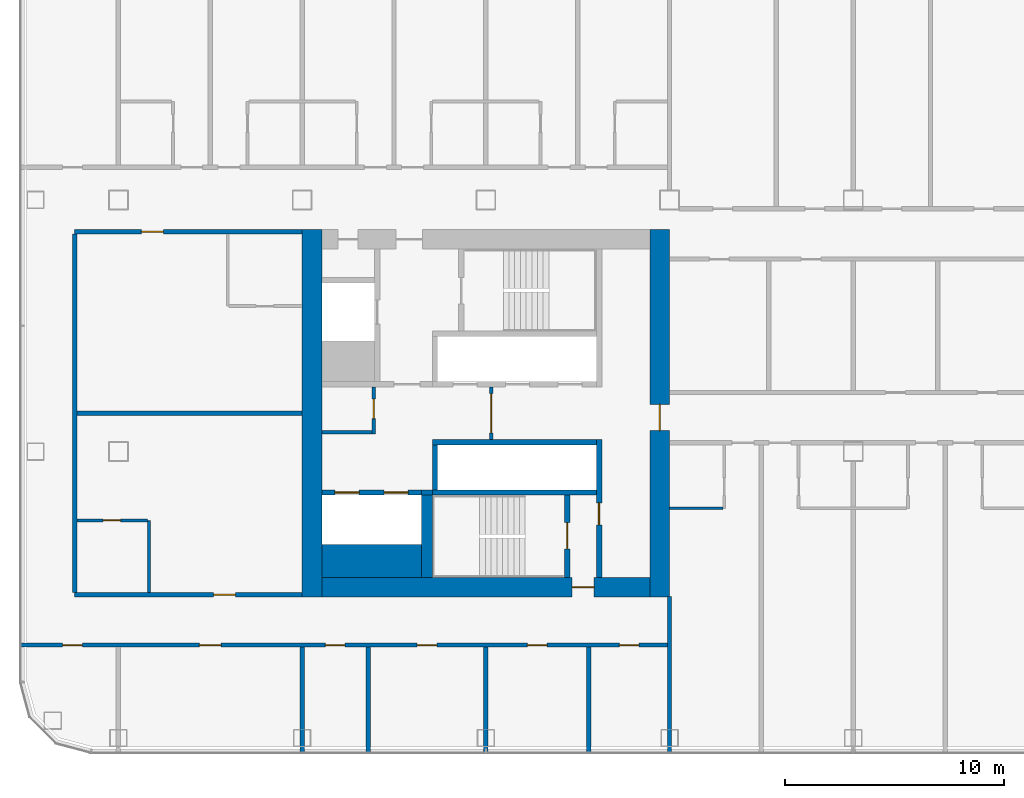
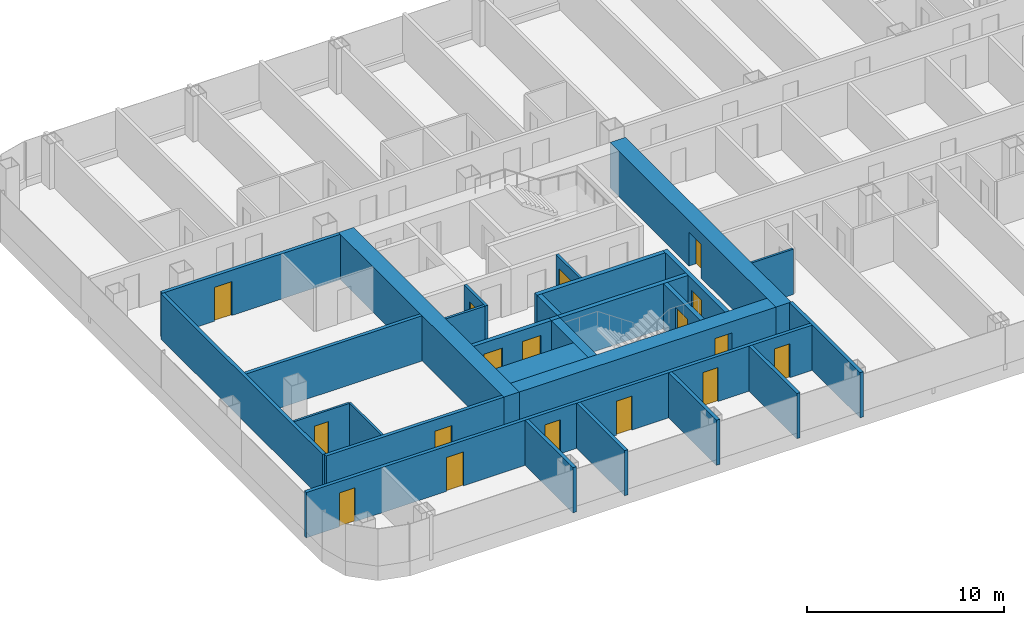
# One storey, part 15 of 29: 28 walls, 17 doors, 17 openings.
"""IFC4 building model written with IfcOpenShell, lengths in metres."""

from ifc_helpers import new_model, si_unit, direction, frame, frame_2d, origin, place, context, subcontext, project, spatial, rectangle, extrude, material, layer, layer_set, type_object, element, fill, save


model = new_model("IFC4")

# Units and contexts
model_context = context("Model", 3, precision=1e-05, world=origin(), true_north=direction((0.0, 1.0)))
body_context = subcontext(model_context, "Body", "Model", "MODEL_VIEW")
ifc_project = project(units=[si_unit("LENGTHUNIT", "METRE"), si_unit("AREAUNIT", "SQUARE_METRE"), si_unit("VOLUMEUNIT", "CUBIC_METRE"), si_unit("PLANEANGLEUNIT", "RADIAN"), si_unit("MASSUNIT", "GRAM", prefix="KILO")], contexts=[model_context])

# Site, building, storey
site_placement = place(None, origin())
site = spatial("IfcSite", under=ifc_project, at=site_placement, CompositionType="ELEMENT")
building_placement = place(site_placement, origin())
building = spatial("IfcBuilding", under=site, at=building_placement, Name="Hakoniwa Tower and Hamabe Station Hall", CompositionType="ELEMENT")
storey_placement = place(building_placement, frame((0.0, 0.0, 110.60009765625)))
storey = spatial("IfcBuildingStorey", under=building, at=storey_placement, Name="L31", CompositionType="ELEMENT", Elevation=110.60009765625)

# Wall, opening, door
ifc_material_1 = material(Name="Gypsum board partition", Category="gypsum")
ifc_layer_1 = layer(ifc_material_1, 0.125)
ifc_layer_set_1 = layer_set([ifc_layer_1], Name="Bathroom Partition 125")
wall_type_1 = type_object("IfcWallType", Name="Bathroom Partition 125", PredefinedType="PARTITIONING", material=ifc_layer_set_1)
wall_1_placement = place(storey_placement, frame((-43.89990234375, -4.89990234375, 0.0), z_axis=(0.0, 0.0, 1.0), x_axis=(1.0, 0.0, 0.0)))
wall_1 = element("IfcWall", 1, at=wall_1_placement, inside=storey, type_object=wall_type_1, Name="GW-L31-005", PredefinedType="PARTITIONING", context=body_context, shape_type="SweptSolid", body=[
    extrude(rectangle(XDim=3.2373046875, YDim=0.125, at=frame_2d((1.61865234375, 0.0))), origin(), (0.0, 0.0, 1.0), 2.7998046875),
])
opening_1_placement = place(wall_1_placement, frame((1.199951171875, 0.0, 0.0)))
opening_1 = element("IfcOpeningElement", 2, at=opening_1_placement, cuts=wall_1, Name="Opening GD-G2B2-16", PredefinedType="OPENING", context=body_context, shape_type="SweptSolid", body=[
    extrude(rectangle(XDim=0.800048828125, YDim=2.10009765625, at=frame_2d((0.39990234375, 1.050048828125))), frame((0.0, 0.072509765625, 0.0), z_axis=(0.0, -1.0, 0.0), x_axis=(1.0, 0.0, 0.0)), (0.0, 0.0, 1.0), 0.14501953125),
])
ifc_material_2 = material(Name="Timber door leaf", Category="wood")
door_type_1 = type_object("IfcDoorType", Name="Bathroom Door 800", OperationType="SINGLE_SWING_LEFT", PredefinedType="DOOR", material=ifc_material_2)
door_1_placement = place(opening_1_placement, origin())
door_1 = element("IfcDoor", 3, at=door_1_placement, inside=storey, type_object=door_type_1, Name="Door GD-G2B2-16", OperationType="SINGLE_SWING_RIGHT", OverallHeight=2.10009765625, OverallWidth=0.800048828125, PredefinedType="DOOR", context=body_context, shape_type="SweptSolid", body=[
    extrude(rectangle(XDim=0.800048828125, YDim=2.10009765625, at=frame_2d((0.39990234375, 1.050048828125))), frame((0.0, 0.02490234375, 0.0), z_axis=(0.0, -1.0, 0.0), x_axis=(1.0, 0.0, 0.0)), (0.0, 0.0, 1.0), 0.050048828125),
])
fill(opening_1, door_1)

# Walls
wall_2_placement = place(storey_placement, frame((-16.81005859375, -4.35009765625, 0.0), z_axis=(0.0, 0.0, 1.0), x_axis=(1.0, 0.0, 0.0)))
element("IfcWall", 4, at=wall_2_placement, inside=storey, type_object=wall_type_1, Name="GW-L31-007", PredefinedType="PARTITIONING", context=body_context, shape_type="SweptSolid", body=[
    extrude(rectangle(XDim=2.447509765625, YDim=0.125, at=frame_2d((1.2236328125, 0.0))), origin(), (0.0, 0.0, 1.0), 2.7998046875),
])
wall_3_placement = place(storey_placement, frame((-40.60009765625, -8.199951171875, 0.0), z_axis=(0.0, 0.0, 1.0), x_axis=(0.0, 1.0, 0.0)))
element("IfcWall", 5, at=wall_3_placement, inside=storey, type_object=wall_type_1, Name="GW-L31-034", PredefinedType="PARTITIONING", context=body_context, shape_type="SweptSolid", body=[
    extrude(rectangle(XDim=3.300048828125, YDim=0.125, at=frame_2d((1.64990234375, 0.0))), origin(), (0.0, 0.0, 1.0), 2.7998046875),
])

# Wall, opening, door
ifc_material_3 = material(Name="Gypsum board partition")
ifc_layer_2 = layer(ifc_material_3, 0.14990234375)
ifc_layer_set_2 = layer_set([ifc_layer_2], Name="CORE PARTITION 150 EI 60")
wall_type_2 = type_object("IfcWallType", Name="CORE PARTITION 150 EI 60", PredefinedType="PARTITIONING", material=ifc_layer_set_2)
wall_4_placement = place(storey_placement, frame((-24.949951171875, -1.199951171875, 0.0), z_axis=(0.0, 0.0, 1.0), x_axis=(0.0, 1.0, 0.0)))
wall_4 = element("IfcWall", 6, at=wall_4_placement, inside=storey, type_object=wall_type_2, Name="Core partition PL0 west", PredefinedType="PARTITIONING", context=body_context, shape_type="SweptSolid", body=[
    extrude(rectangle(XDim=2.39990234375, YDim=0.14990234375, at=frame_2d((1.199951171875, 0.0))), origin(), (0.0, 0.0, 1.0), 2.7998046875),
])
opening_2_placement = place(wall_4_placement, frame((0.300048828125, 0.0, 0.0)))
opening_2 = element("IfcOpeningElement", 7, at=opening_2_placement, cuts=wall_4, Name="Opening CD-W-LP0-18", PredefinedType="OPENING", context=body_context, shape_type="SweptSolid", body=[
    extrude(rectangle(XDim=1.800048828125, YDim=2.10009765625, at=frame_2d((0.89990234375, 1.050048828125))), frame((0.0, 0.0849609375, 0.0), z_axis=(0.0, -1.0, 0.0), x_axis=(1.0, 0.0, 0.0)), (0.0, 0.0, 1.0), 0.169921875),
])
ifc_material_4 = material(Name="Steel fire door", Category="steel")
door_type_2 = type_object("IfcDoorType", Name="CORE DOOR 1800 FD60", OperationType="DOUBLE_DOOR_SINGLE_SWING", PredefinedType="DOOR", material=ifc_material_4)
door_2_placement = place(opening_2_placement, origin())
door_2 = element("IfcDoor", 8, at=door_2_placement, inside=storey, type_object=door_type_2, Name="Lift lobby partition door", OperationType="DOUBLE_DOOR_SINGLE_SWING", OverallHeight=2.10009765625, OverallWidth=1.800048828125, PredefinedType="DOOR", context=body_context, shape_type="SweptSolid", body=[
    extrude(rectangle(XDim=1.800048828125, YDim=2.10009765625, at=frame_2d((0.89990234375, 1.050048828125))), frame((0.0, 0.02490234375, 0.0), z_axis=(0.0, -1.0, 0.0), x_axis=(1.0, 0.0, 0.0)), (0.0, 0.0, 1.0), 0.050048828125),
])
fill(opening_2, door_2)

wall_5_placement = place(storey_placement, frame((-30.324951171875, -0.949951171875, 0.0), z_axis=(0.0, 0.0, 1.0), x_axis=(0.0, 1.0, 0.0)))
wall_5 = element("IfcWall", 9, at=wall_5_placement, inside=storey, type_object=wall_type_2, Name="Core partition PW0 west", PredefinedType="PARTITIONING", context=body_context, shape_type="SweptSolid", body=[
    extrude(rectangle(XDim=2.14990234375, YDim=0.14990234375, at=frame_2d((1.074951171875, 0.0))), origin(), (0.0, 0.0, 1.0), 2.7998046875),
])
opening_3_placement = place(wall_5_placement, frame((0.699951171875, 0.0, 0.0)))
opening_3 = element("IfcOpeningElement", 10, at=opening_3_placement, cuts=wall_5, Name="Opening CD-W-RM1-9", PredefinedType="OPENING", context=body_context, shape_type="SweptSolid", body=[
    extrude(rectangle(XDim=0.89990234375, YDim=2.10009765625, at=frame_2d((0.449951171875, 1.050048828125))), frame((0.0, 0.0849609375, 0.0), z_axis=(0.0, -1.0, 0.0), x_axis=(1.0, 0.0, 0.0)), (0.0, 0.0, 1.0), 0.169921875),
])
ifc_material_5 = material(Name="Steel fire door", Category="steel")
door_type_3 = type_object("IfcDoorType", Name="CORE DOOR 900 FD30", OperationType="NOTDEFINED", PredefinedType="DOOR", material=ifc_material_5)
door_3_placement = place(opening_3_placement, origin())
door_3 = element("IfcDoor", 11, at=door_3_placement, inside=storey, type_object=door_type_3, Name="Store room door", OperationType="SINGLE_SWING_LEFT", OverallHeight=2.10009765625, OverallWidth=0.89990234375, PredefinedType="DOOR", context=body_context, shape_type="SweptSolid", body=[
    extrude(rectangle(XDim=0.89990234375, YDim=2.10009765625, at=frame_2d((0.449951171875, 1.050048828125))), frame((0.0, 0.02490234375, 0.0), z_axis=(0.0, -1.0, 0.0), x_axis=(1.0, 0.0, 0.0)), (0.0, 0.0, 1.0), 0.050048828125),
])
fill(opening_3, door_3)

# Wall
wall_6_placement = place(storey_placement, frame((-32.699951171875, -0.875, 0.0), z_axis=(0.0, 0.0, 1.0), x_axis=(1.0, 0.0, 0.0)))
element("IfcWall", 12, at=wall_6_placement, inside=storey, type_object=wall_type_2, Name="Core partition PS west", PredefinedType="PARTITIONING", context=body_context, shape_type="SweptSolid", body=[
    extrude(rectangle(XDim=2.300048828125, YDim=0.14990234375, at=frame_2d((1.14990234375, 0.0))), origin(), (0.0, 0.0, 1.0), 2.7998046875),
])

# Wall, opening, door
ifc_material_6 = material(Name="Concrete C72", Category="concrete")
ifc_layer_3 = layer(ifc_material_6, 0.89990234375)
ifc_layer_set_3 = layer_set([ifc_layer_3], Name="CORE WALL 900 C72")
wall_type_3 = type_object("IfcWallType", Name="CORE WALL 900 C72", PredefinedType="SHEAR", material=ifc_layer_set_3)
wall_7_placement = place(storey_placement, frame((-17.25, -8.39990234375, 0.0), z_axis=(0.0, 0.0, 1.0), x_axis=(0.0, 1.0, 0.0)))
wall_7 = element("IfcWall", 13, at=wall_7_placement, inside=storey, type_object=wall_type_3, Name="Core wall INNER west", PredefinedType="SHEAR", context=body_context, shape_type="SweptSolid", body=[
    extrude(rectangle(XDim=16.7998046875, YDim=0.89990234375, at=frame_2d((8.39990234375, 0.0))), origin(), (0.0, 0.0, 1.0), 2.7998046875),
])
opening_4_placement = place(wall_7_placement, frame((7.60009765625, 0.0, 0.0)))
opening_4 = element("IfcOpeningElement", 14, at=opening_4_placement, cuts=wall_7, Name="Opening CD-W-IN1-12", PredefinedType="OPENING", context=body_context, shape_type="SweptSolid", body=[
    extrude(rectangle(XDim=1.199951171875, YDim=2.10009765625, at=frame_2d((0.60009765625, 1.050048828125))), frame((0.0, 0.4599609375, 0.0), z_axis=(0.0, -1.0, 0.0), x_axis=(1.0, 0.0, 0.0)), (0.0, 0.0, 1.0), 0.919921875),
])
ifc_material_7 = material(Name="Steel fire door", Category="steel")
door_type_4 = type_object("IfcDoorType", Name="CORE DOOR 1200 FD60", OperationType="DOUBLE_DOOR_SINGLE_SWING", PredefinedType="DOOR", material=ifc_material_7)
door_4_placement = place(opening_4_placement, origin())
door_4 = element("IfcDoor", 15, at=door_4_placement, inside=storey, type_object=door_type_4, Name="Lift lobby door", OperationType="DOUBLE_DOOR_SINGLE_SWING", OverallHeight=2.10009765625, OverallWidth=1.199951171875, PredefinedType="DOOR", context=body_context, shape_type="SweptSolid", body=[
    extrude(rectangle(XDim=1.199951171875, YDim=2.10009765625, at=frame_2d((0.60009765625, 1.050048828125))), frame((0.0, 0.02490234375, 0.0), z_axis=(0.0, -1.0, 0.0), x_axis=(1.0, 0.0, 0.0)), (0.0, 0.0, 1.0), 0.050048828125),
])
fill(opening_4, door_4)

# Wall
wall_8_placement = place(storey_placement, frame((-33.14990234375, -8.39990234375, 0.0), z_axis=(0.0, 0.0, 1.0), x_axis=(0.0, 1.0, 0.0)))
element("IfcWall", 16, at=wall_8_placement, inside=storey, type_object=wall_type_3, Name="Core wall OUTER west", PredefinedType="SHEAR", context=body_context, shape_type="SweptSolid", body=[
    extrude(rectangle(XDim=16.7998046875, YDim=0.89990234375, at=frame_2d((8.39990234375, 0.0))), origin(), (0.0, 0.0, 1.0), 2.7998046875),
])

# Wall, opening, door
wall_9_placement = place(storey_placement, frame((-32.699951171875, -7.949951171875, 0.0), z_axis=(0.0, 0.0, 1.0), x_axis=(1.0, 0.0, 0.0)))
wall_9 = element("IfcWall", 17, at=wall_9_placement, inside=storey, type_object=wall_type_3, Name="Core wall SOUTH west", PredefinedType="SHEAR", context=body_context, shape_type="SweptSolid", body=[
    extrude(rectangle(XDim=15.0, YDim=0.89990234375, at=frame_2d((7.5, 0.0))), origin(), (0.0, 0.0, 1.0), 2.7998046875),
])
opening_5_placement = place(wall_9_placement, frame((11.449951171875, 0.0, 0.0)))
opening_5 = element("IfcOpeningElement", 18, at=opening_5_placement, cuts=wall_9, Name="Opening CD-W-FS3-10", PredefinedType="OPENING", context=body_context, shape_type="SweptSolid", body=[
    extrude(rectangle(XDim=1.0, YDim=2.10009765625, at=frame_2d((0.5, 1.050048828125))), frame((0.0, 0.4599609375, 0.0), z_axis=(0.0, -1.0, 0.0), x_axis=(1.0, 0.0, 0.0)), (0.0, 0.0, 1.0), 0.919921875),
])
ifc_material_8 = material(Name="Steel fire door", Category="steel")
door_type_5 = type_object("IfcDoorType", Name="CORE DOOR 1000 FD60", OperationType="NOTDEFINED", PredefinedType="DOOR", material=ifc_material_8)
door_5_placement = place(opening_5_placement, origin())
door_5 = element("IfcDoor", 19, at=door_5_placement, inside=storey, type_object=door_type_5, Name="Stair vestibule door", OperationType="SINGLE_SWING_LEFT", OverallHeight=2.10009765625, OverallWidth=1.0, PredefinedType="DOOR", context=body_context, shape_type="SweptSolid", body=[
    extrude(rectangle(XDim=1.0, YDim=2.10009765625, at=frame_2d((0.5, 1.050048828125))), frame((0.0, 0.02490234375, 0.0), z_axis=(0.0, -1.0, 0.0), x_axis=(1.0, 0.0, 0.0)), (0.0, 0.0, 1.0), 0.050048828125),
])
fill(opening_5, door_5)

# Wall
ifc_material_9 = material(Name="Concrete C72", Category="concrete")
ifc_layer_4 = layer(ifc_material_9, 1.5)
ifc_layer_set_4 = layer_set([ifc_layer_4], Name="CORE WEB WALL 1500 C72")
wall_type_4 = type_object("IfcWallType", Name="CORE WEB WALL 1500 C72", PredefinedType="SHEAR", material=ifc_layer_set_4)
wall_10_placement = place(storey_placement, frame((-32.699951171875, -6.75, 0.0), z_axis=(0.0, 0.0, 1.0), x_axis=(1.0, 0.0, 0.0)))
element("IfcWall", 20, at=wall_10_placement, inside=storey, type_object=wall_type_4, Name="Core wall SER west", PredefinedType="SHEAR", context=body_context, shape_type="SweptSolid", body=[
    extrude(rectangle(XDim=4.550048828125, YDim=1.5, at=frame_2d((2.27490234375, 0.0))), origin(), (0.0, 0.0, 1.0), 2.7998046875),
])

# Wall, opening, door
ifc_material_10 = material(Name="Concrete C72", Category="concrete")
ifc_layer_5 = layer(ifc_material_10, 0.25)
ifc_layer_set_5 = layer_set([ifc_layer_5], Name="CORE WEB WALL 250 C72")
wall_type_5 = type_object("IfcWallType", Name="CORE WEB WALL 250 C72", PredefinedType="SHEAR", material=ifc_layer_set_5)
wall_11_placement = place(storey_placement, frame((-20.02490234375, -7.5, 0.0), z_axis=(0.0, 0.0, 1.0), x_axis=(0.0, 1.0, 0.0)))
wall_11 = element("IfcWall", 21, at=wall_11_placement, inside=storey, type_object=wall_type_5, Name="Core wall W1S west", PredefinedType="SHEAR", context=body_context, shape_type="SweptSolid", body=[
    extrude(rectangle(XDim=6.300048828125, YDim=0.25, at=frame_2d((3.14990234375, 0.0))), origin(), (0.0, 0.0, 1.0), 2.7998046875),
])
opening_6_placement = place(wall_11_placement, frame((2.39990234375, 0.0, 0.0)))
opening_6 = element("IfcOpeningElement", 22, at=opening_6_placement, cuts=wall_11, Name="Opening CD-W-VS-10", PredefinedType="OPENING", context=body_context, shape_type="SweptSolid", body=[
    extrude(rectangle(XDim=1.0, YDim=2.10009765625, at=frame_2d((0.5, 1.050048828125))), frame((0.0, 0.135009765625, 0.0), z_axis=(0.0, -1.0, 0.0), x_axis=(1.0, 0.0, 0.0)), (0.0, 0.0, 1.0), 0.27001953125),
])
door_6_placement = place(opening_6_placement, origin())
door_6 = element("IfcDoor", 23, at=door_6_placement, inside=storey, type_object=door_type_5, Name="Stair vestibule door", OperationType="SINGLE_SWING_LEFT", OverallHeight=2.10009765625, OverallWidth=1.0, PredefinedType="DOOR", context=body_context, shape_type="SweptSolid", body=[
    extrude(rectangle(XDim=1.0, YDim=2.10009765625, at=frame_2d((0.5, 1.050048828125))), frame((0.0, 0.02490234375, 0.0), z_axis=(0.0, -1.0, 0.0), x_axis=(1.0, 0.0, 0.0)), (0.0, 0.0, 1.0), 0.050048828125),
])
fill(opening_6, door_6)

# Walls
wall_12_placement = place(storey_placement, frame((-27.64990234375, -1.324951171875, 0.0), z_axis=(0.0, 0.0, 1.0), x_axis=(1.0, 0.0, 0.0)))
element("IfcWall", 24, at=wall_12_placement, inside=storey, type_object=wall_type_5, Name="Core wall SF west", PredefinedType="SHEAR", context=body_context, shape_type="SweptSolid", body=[
    extrude(rectangle(XDim=7.5, YDim=0.25, at=frame_2d((3.75, 0.0))), origin(), (0.0, 0.0, 1.0), 2.7998046875),
])
wall_13_placement = place(storey_placement, frame((-27.52490234375, -3.5, 0.0), z_axis=(0.0, 0.0, 1.0), x_axis=(0.0, 1.0, 0.0)))
element("IfcWall", 25, at=wall_13_placement, inside=storey, type_object=wall_type_5, Name="Core wall SE west", PredefinedType="SHEAR", context=body_context, shape_type="SweptSolid", body=[
    extrude(rectangle(XDim=2.050048828125, YDim=0.25, at=frame_2d((1.02490234375, 0.0))), origin(), (0.0, 0.0, 1.0), 2.7998046875),
])
wall_14_placement = place(storey_placement, frame((-27.64990234375, -3.625, 0.0), z_axis=(0.0, 0.0, 1.0), x_axis=(1.0, 0.0, 0.0)))
element("IfcWall", 26, at=wall_14_placement, inside=storey, type_object=wall_type_5, Name="Core wall SR west", PredefinedType="SHEAR", context=body_context, shape_type="SweptSolid", body=[
    extrude(rectangle(XDim=7.5, YDim=0.25, at=frame_2d((3.75, 0.0))), origin(), (0.0, 0.0, 1.0), 2.7998046875),
])

# Wall, opening, door
wall_15_placement = place(storey_placement, frame((-21.47509765625, -7.5, 0.0), z_axis=(0.0, 0.0, 1.0), x_axis=(0.0, 1.0, 0.0)))
wall_15 = element("IfcWall", 27, at=wall_15_placement, inside=storey, type_object=wall_type_5, Name="Core wall VE west", PredefinedType="SHEAR", context=body_context, shape_type="SweptSolid", body=[
    extrude(rectangle(XDim=3.75, YDim=0.25, at=frame_2d((1.875, 0.0))), origin(), (0.0, 0.0, 1.0), 2.7998046875),
])
opening_7_placement = place(wall_15_placement, frame((1.300048828125, 0.0, 0.0)))
opening_7 = element("IfcOpeningElement", 28, at=opening_7_placement, cuts=wall_15, Name="Opening CD-W-SS-12", PredefinedType="OPENING", context=body_context, shape_type="SweptSolid", body=[
    extrude(rectangle(XDim=1.199951171875, YDim=2.10009765625, at=frame_2d((0.60009765625, 1.050048828125))), frame((0.0, 0.135009765625, 0.0), z_axis=(0.0, -1.0, 0.0), x_axis=(1.0, 0.0, 0.0)), (0.0, 0.0, 1.0), 0.27001953125),
])
door_7_placement = place(opening_7_placement, origin())
door_7 = element("IfcDoor", 29, at=door_7_placement, inside=storey, type_object=door_type_4, Name="Escape stair door", OperationType="DOUBLE_DOOR_SINGLE_SWING", OverallHeight=2.10009765625, OverallWidth=1.199951171875, PredefinedType="DOOR", context=body_context, shape_type="SweptSolid", body=[
    extrude(rectangle(XDim=1.199951171875, YDim=2.10009765625, at=frame_2d((0.60009765625, 1.050048828125))), frame((0.0, 0.02490234375, 0.0), z_axis=(0.0, -1.0, 0.0), x_axis=(1.0, 0.0, 0.0)), (0.0, 0.0, 1.0), 0.050048828125),
])
fill(opening_7, door_7)

# Wall, openings, doors
wall_16_placement = place(storey_placement, frame((-32.699951171875, -3.625, 0.0), z_axis=(0.0, 0.0, 1.0), x_axis=(1.0, 0.0, 0.0)))
wall_16 = element("IfcWall", 30, at=wall_16_placement, inside=storey, type_object=wall_type_5, Name="Core wall SEF west", PredefinedType="SHEAR", context=body_context, shape_type="SweptSolid", body=[
    extrude(rectangle(XDim=4.550048828125, YDim=0.25, at=frame_2d((2.27490234375, 0.0))), origin(), (0.0, 0.0, 1.0), 2.7998046875),
])
opening_8_placement = place(wall_16_placement, frame((2.85009765625, 0.0, 0.0)))
opening_8 = element("IfcOpeningElement", 31, at=opening_8_placement, cuts=wall_16, Name="Opening LD-SV1", PredefinedType="OPENING", context=body_context, shape_type="SweptSolid", body=[
    extrude(rectangle(XDim=1.10009765625, YDim=2.10009765625, at=frame_2d((0.550048828125, 1.050048828125))), frame((0.0, 0.135009765625, 0.0), z_axis=(0.0, -1.0, 0.0), x_axis=(1.0, 0.0, 0.0)), (0.0, 0.0, 1.0), 0.27001953125),
])
opening_9_placement = place(wall_16_placement, frame((0.60009765625, 0.0, 0.0)))
opening_9 = element("IfcOpeningElement", 32, at=opening_9_placement, cuts=wall_16, Name="Opening LD-SV2", PredefinedType="OPENING", context=body_context, shape_type="SweptSolid", body=[
    extrude(rectangle(XDim=1.10009765625, YDim=2.10009765625, at=frame_2d((0.550048828125, 1.050048828125))), frame((0.0, 0.135009765625, 0.0), z_axis=(0.0, -1.0, 0.0), x_axis=(1.0, 0.0, 0.0)), (0.0, 0.0, 1.0), 0.27001953125),
])
ifc_material_11 = material(Name="Stainless steel SUS304", Category="steel")
door_type_6 = type_object("IfcDoorType", Name="LIFT LANDING DOOR 1100 FD60", OperationType="DOUBLE_DOOR_SLIDING", PredefinedType="DOOR", material=ifc_material_11)
door_8_placement = place(opening_8_placement, origin())
door_8 = element("IfcDoor", 33, at=door_8_placement, inside=storey, type_object=door_type_6, Name="Lift landing door SV1 L31", OperationType="DOUBLE_DOOR_SLIDING", OverallHeight=2.10009765625, OverallWidth=1.10009765625, PredefinedType="DOOR", context=body_context, shape_type="SweptSolid", body=[
    extrude(rectangle(XDim=1.10009765625, YDim=2.10009765625, at=frame_2d((0.550048828125, 1.050048828125))), frame((0.0, 0.02490234375, 0.0), z_axis=(0.0, -1.0, 0.0), x_axis=(1.0, 0.0, 0.0)), (0.0, 0.0, 1.0), 0.050048828125),
])
fill(opening_8, door_8)
door_9_placement = place(opening_9_placement, origin())
door_9 = element("IfcDoor", 34, at=door_9_placement, inside=storey, type_object=door_type_6, Name="Lift landing door SV2 L31", OperationType="DOUBLE_DOOR_SLIDING", OverallHeight=2.10009765625, OverallWidth=1.10009765625, PredefinedType="DOOR", context=body_context, shape_type="SweptSolid", body=[
    extrude(rectangle(XDim=1.10009765625, YDim=2.10009765625, at=frame_2d((0.550048828125, 1.050048828125))), frame((0.0, 0.02490234375, 0.0), z_axis=(0.0, -1.0, 0.0), x_axis=(1.0, 0.0, 0.0)), (0.0, 0.0, 1.0), 0.050048828125),
])
fill(opening_9, door_9)

# Walls
wall_17_placement = place(storey_placement, frame((-28.14990234375, -3.625, 0.0), z_axis=(0.0, 0.0, 1.0), x_axis=(1.0, 0.0, 0.0)))
element("IfcWall", 35, at=wall_17_placement, inside=storey, type_object=wall_type_5, Name="Core wall SRK west", PredefinedType="SHEAR", context=body_context, shape_type="SweptSolid", body=[
    extrude(rectangle(XDim=0.5, YDim=0.25, at=frame_2d((0.25, 0.0))), origin(), (0.0, 0.0, 1.0), 2.7998046875),
])
ifc_material_12 = material(Name="Concrete C72", Category="concrete")
ifc_layer_6 = layer(ifc_material_12, 0.5)
ifc_layer_set_6 = layer_set([ifc_layer_6], Name="CORE WEB WALL 500 C72")
wall_type_6 = type_object("IfcWallType", Name="CORE WEB WALL 500 C72", PredefinedType="SHEAR", material=ifc_layer_set_6)
wall_18_placement = place(storey_placement, frame((-27.89990234375, -7.5, 0.0), z_axis=(0.0, 0.0, 1.0), x_axis=(0.0, 1.0, 0.0)))
element("IfcWall", 36, at=wall_18_placement, inside=storey, type_object=wall_type_6, Name="Core wall SSE west", PredefinedType="SHEAR", context=body_context, shape_type="SweptSolid", body=[
    extrude(rectangle(XDim=3.75, YDim=0.5, at=frame_2d((1.875, 0.0))), origin(), (0.0, 0.0, 1.0), 2.7998046875),
])

# Wall, openings, doors
ifc_material_13 = material(Name="Fire-rated gypsum board partition", Category="gypsum")
ifc_layer_7 = layer(ifc_material_13, 0.199951171875)
ifc_layer_set_7 = layer_set([ifc_layer_7], Name="Corridor Wall 200")
wall_type_7 = type_object("IfcWallType", Name="Corridor Wall 200", PredefinedType="PARTITIONING", material=ifc_layer_set_7)
wall_19_placement = place(storey_placement, frame((-46.5, -10.60009765625, 0.0), z_axis=(0.0, 0.0, 1.0), x_axis=(1.0, 0.0, 0.0)))
wall_19 = element("IfcWall", 37, at=wall_19_placement, inside=storey, type_object=wall_type_7, Name="GW-L31-001", PredefinedType="PARTITIONING", context=body_context, shape_type="SweptSolid", body=[
    extrude(rectangle(XDim=29.699951171875, YDim=0.199951171875, at=frame_2d((14.85009765625, 0.0))), origin(), (0.0, 0.0, 1.0), 2.7998046875),
])
opening_10_placement = place(wall_19_placement, frame((1.949951171875, 0.0, 0.0)))
opening_10 = element("IfcOpeningElement", 38, at=opening_10_placement, cuts=wall_19, Name="Opening GD-G2B2-01", PredefinedType="OPENING", context=body_context, shape_type="SweptSolid", body=[
    extrude(rectangle(XDim=0.89990234375, YDim=2.10009765625, at=frame_2d((0.449951171875, 1.050048828125))), frame((0.0, 0.10986328125, 0.0), z_axis=(0.0, -1.0, 0.0), x_axis=(1.0, 0.0, 0.0)), (0.0, 0.0, 1.0), 0.219970703125),
])
opening_11_placement = place(wall_19_placement, frame((8.199951171875, 0.0, 0.0)))
opening_11 = element("IfcOpeningElement", 39, at=opening_11_placement, cuts=wall_19, Name="Opening GD-G2B2-02", PredefinedType="OPENING", context=body_context, shape_type="SweptSolid", body=[
    extrude(rectangle(XDim=1.0, YDim=2.10009765625, at=frame_2d((0.5, 1.050048828125))), frame((0.0, 0.10986328125, 0.0), z_axis=(0.0, -1.0, 0.0), x_axis=(1.0, 0.0, 0.0)), (0.0, 0.0, 1.0), 0.219970703125),
])
opening_12_placement = place(wall_19_placement, frame((13.9599609375, 0.0, 0.0)))
opening_12 = element("IfcOpeningElement", 40, at=opening_12_placement, cuts=wall_19, Name="Opening GD-G2B2-03", PredefinedType="OPENING", context=body_context, shape_type="SweptSolid", body=[
    extrude(rectangle(XDim=0.89990234375, YDim=2.10009765625, at=frame_2d((0.449951171875, 1.050048828125))), frame((0.0, 0.10986328125, 0.0), z_axis=(0.0, -1.0, 0.0), x_axis=(1.0, 0.0, 0.0)), (0.0, 0.0, 1.0), 0.219970703125),
])
opening_13_placement = place(wall_19_placement, frame((18.159912109375, 0.0, 0.0)))
opening_13 = element("IfcOpeningElement", 41, at=opening_13_placement, cuts=wall_19, Name="Opening GD-G2B2-04", PredefinedType="OPENING", context=body_context, shape_type="SweptSolid", body=[
    extrude(rectangle(XDim=0.89990234375, YDim=2.10009765625, at=frame_2d((0.449951171875, 1.050048828125))), frame((0.0, 0.10986328125, 0.0), z_axis=(0.0, -1.0, 0.0), x_axis=(1.0, 0.0, 0.0)), (0.0, 0.0, 1.0), 0.219970703125),
])
opening_14_placement = place(wall_19_placement, frame((23.199951171875, 0.0, 0.0)))
opening_14 = element("IfcOpeningElement", 42, at=opening_14_placement, cuts=wall_19, Name="Opening GD-G2B2-05", PredefinedType="OPENING", context=body_context, shape_type="SweptSolid", body=[
    extrude(rectangle(XDim=0.89990234375, YDim=2.10009765625, at=frame_2d((0.449951171875, 1.050048828125))), frame((0.0, 0.10986328125, 0.0), z_axis=(0.0, -1.0, 0.0), x_axis=(1.0, 0.0, 0.0)), (0.0, 0.0, 1.0), 0.219970703125),
])
opening_15_placement = place(wall_19_placement, frame((27.39990234375, 0.0, 0.0)))
opening_15 = element("IfcOpeningElement", 43, at=opening_15_placement, cuts=wall_19, Name="Opening GD-G2B2-06", PredefinedType="OPENING", context=body_context, shape_type="SweptSolid", body=[
    extrude(rectangle(XDim=0.89990234375, YDim=2.10009765625, at=frame_2d((0.449951171875, 1.050048828125))), frame((0.0, 0.10986328125, 0.0), z_axis=(0.0, -1.0, 0.0), x_axis=(1.0, 0.0, 0.0)), (0.0, 0.0, 1.0), 0.219970703125),
])
ifc_material_14 = material(Name="Timber door leaf", Category="wood")
door_type_7 = type_object("IfcDoorType", Name="Guest Entrance Door 1000", OperationType="SINGLE_SWING_LEFT", PredefinedType="DOOR", material=ifc_material_14)
door_10_placement = place(opening_11_placement, origin())
door_10 = element("IfcDoor", 44, at=door_10_placement, inside=storey, type_object=door_type_7, Name="Door GD-G2B2-02", OperationType="SINGLE_SWING_LEFT", OverallHeight=2.10009765625, OverallWidth=1.0, PredefinedType="DOOR", context=body_context, shape_type="SweptSolid", body=[
    extrude(rectangle(XDim=1.0, YDim=2.10009765625, at=frame_2d((0.5, 1.050048828125))), frame((0.0, 0.02490234375, 0.0), z_axis=(0.0, -1.0, 0.0), x_axis=(1.0, 0.0, 0.0)), (0.0, 0.0, 1.0), 0.050048828125),
])
fill(opening_11, door_10)
ifc_material_15 = material(Name="Timber door leaf", Category="wood")
door_type_8 = type_object("IfcDoorType", Name="Service Door 900", OperationType="SINGLE_SWING_LEFT", PredefinedType="DOOR", material=ifc_material_15)
door_11_placement = place(opening_10_placement, origin())
door_11 = element("IfcDoor", 45, at=door_11_placement, inside=storey, type_object=door_type_8, Name="Door GD-G2B2-01", OperationType="SINGLE_SWING_RIGHT", OverallHeight=2.10009765625, OverallWidth=0.89990234375, PredefinedType="DOOR", context=body_context, shape_type="SweptSolid", body=[
    extrude(rectangle(XDim=0.89990234375, YDim=2.10009765625, at=frame_2d((0.449951171875, 1.050048828125))), frame((0.0, 0.02490234375, 0.0), z_axis=(0.0, -1.0, 0.0), x_axis=(1.0, 0.0, 0.0)), (0.0, 0.0, 1.0), 0.050048828125),
])
fill(opening_10, door_11)
door_12_placement = place(opening_12_placement, origin())
door_12 = element("IfcDoor", 46, at=door_12_placement, inside=storey, type_object=door_type_8, Name="Door GD-G2B2-03", OperationType="SINGLE_SWING_RIGHT", OverallHeight=2.10009765625, OverallWidth=0.89990234375, PredefinedType="DOOR", context=body_context, shape_type="SweptSolid", body=[
    extrude(rectangle(XDim=0.89990234375, YDim=2.10009765625, at=frame_2d((0.449951171875, 1.050048828125))), frame((0.0, 0.02490234375, 0.0), z_axis=(0.0, -1.0, 0.0), x_axis=(1.0, 0.0, 0.0)), (0.0, 0.0, 1.0), 0.050048828125),
])
fill(opening_12, door_12)
door_13_placement = place(opening_13_placement, origin())
door_13 = element("IfcDoor", 47, at=door_13_placement, inside=storey, type_object=door_type_8, Name="Door GD-G2B2-04", OperationType="SINGLE_SWING_LEFT", OverallHeight=2.10009765625, OverallWidth=0.89990234375, PredefinedType="DOOR", context=body_context, shape_type="SweptSolid", body=[
    extrude(rectangle(XDim=0.89990234375, YDim=2.10009765625, at=frame_2d((0.449951171875, 1.050048828125))), frame((0.0, 0.02490234375, 0.0), z_axis=(0.0, -1.0, 0.0), x_axis=(1.0, 0.0, 0.0)), (0.0, 0.0, 1.0), 0.050048828125),
])
fill(opening_13, door_13)
door_14_placement = place(opening_14_placement, origin())
door_14 = element("IfcDoor", 48, at=door_14_placement, inside=storey, type_object=door_type_8, Name="Door GD-G2B2-05", OperationType="SINGLE_SWING_RIGHT", OverallHeight=2.10009765625, OverallWidth=0.89990234375, PredefinedType="DOOR", context=body_context, shape_type="SweptSolid", body=[
    extrude(rectangle(XDim=0.89990234375, YDim=2.10009765625, at=frame_2d((0.449951171875, 1.050048828125))), frame((0.0, 0.02490234375, 0.0), z_axis=(0.0, -1.0, 0.0), x_axis=(1.0, 0.0, 0.0)), (0.0, 0.0, 1.0), 0.050048828125),
])
fill(opening_14, door_14)
door_15_placement = place(opening_15_placement, origin())
door_15 = element("IfcDoor", 49, at=door_15_placement, inside=storey, type_object=door_type_8, Name="Door GD-G2B2-06", OperationType="SINGLE_SWING_LEFT", OverallHeight=2.10009765625, OverallWidth=0.89990234375, PredefinedType="DOOR", context=body_context, shape_type="SweptSolid", body=[
    extrude(rectangle(XDim=0.89990234375, YDim=2.10009765625, at=frame_2d((0.449951171875, 1.050048828125))), frame((0.0, 0.02490234375, 0.0), z_axis=(0.0, -1.0, 0.0), x_axis=(1.0, 0.0, 0.0)), (0.0, 0.0, 1.0), 0.050048828125),
])
fill(opening_15, door_15)

# Wall, opening, door
wall_20_placement = place(storey_placement, frame((-44.0, -8.300048828125, 0.0), z_axis=(0.0, 0.0, 1.0), x_axis=(1.0, 0.0, 0.0)))
wall_20 = element("IfcWall", 50, at=wall_20_placement, inside=storey, type_object=wall_type_7, Name="GW-L31-003", PredefinedType="PARTITIONING", context=body_context, shape_type="SweptSolid", body=[
    extrude(rectangle(XDim=10.39990234375, YDim=0.199951171875, at=frame_2d((5.199951171875, 0.0))), origin(), (0.0, 0.0, 1.0), 2.7998046875),
])
opening_16_placement = place(wall_20_placement, frame((6.35009765625, 0.0, 0.0)))
opening_16 = element("IfcOpeningElement", 51, at=opening_16_placement, cuts=wall_20, Name="Opening GD-G2B2-14", PredefinedType="OPENING", context=body_context, shape_type="SweptSolid", body=[
    extrude(rectangle(XDim=1.0, YDim=2.10009765625, at=frame_2d((0.5, 1.050048828125))), frame((0.0, 0.10986328125, 0.0), z_axis=(0.0, -1.0, 0.0), x_axis=(1.0, 0.0, 0.0)), (0.0, 0.0, 1.0), 0.219970703125),
])
door_16_placement = place(opening_16_placement, origin())
door_16 = element("IfcDoor", 52, at=door_16_placement, inside=storey, type_object=door_type_7, Name="Door GD-G2B2-14", OperationType="SINGLE_SWING_LEFT", OverallHeight=2.10009765625, OverallWidth=1.0, PredefinedType="DOOR", context=body_context, shape_type="SweptSolid", body=[
    extrude(rectangle(XDim=1.0, YDim=2.10009765625, at=frame_2d((0.5, 1.050048828125))), frame((0.0, 0.02490234375, 0.0), z_axis=(0.0, -1.0, 0.0), x_axis=(1.0, 0.0, 0.0)), (0.0, 0.0, 1.0), 0.050048828125),
])
fill(opening_16, door_16)

wall_21_placement = place(storey_placement, frame((-44.0, 8.300048828125, 0.0), z_axis=(0.0, 0.0, 1.0), x_axis=(1.0, 0.0, 0.0)))
wall_21 = element("IfcWall", 53, at=wall_21_placement, inside=storey, type_object=wall_type_7, Name="GW-L31-019", PredefinedType="PARTITIONING", context=body_context, shape_type="SweptSolid", body=[
    extrude(rectangle(XDim=10.39990234375, YDim=0.199951171875, at=frame_2d((5.199951171875, 0.0))), origin(), (0.0, 0.0, 1.0), 2.7998046875),
])
opening_17_placement = place(wall_21_placement, frame((3.050048828125, 0.0, 0.0)))
opening_17 = element("IfcOpeningElement", 54, at=opening_17_placement, cuts=wall_21, Name="Opening GD-G2B2-36", PredefinedType="OPENING", context=body_context, shape_type="SweptSolid", body=[
    extrude(rectangle(XDim=1.0, YDim=2.10009765625, at=frame_2d((0.5, 1.050048828125))), frame((0.0, 0.10986328125, 0.0), z_axis=(0.0, -1.0, 0.0), x_axis=(1.0, 0.0, 0.0)), (0.0, 0.0, 1.0), 0.219970703125),
])
door_17_placement = place(opening_17_placement, origin())
door_17 = element("IfcDoor", 55, at=door_17_placement, inside=storey, type_object=door_type_7, Name="Door GD-G2B2-36", OperationType="SINGLE_SWING_RIGHT", OverallHeight=2.10009765625, OverallWidth=1.0, PredefinedType="DOOR", context=body_context, shape_type="SweptSolid", body=[
    extrude(rectangle(XDim=1.0, YDim=2.10009765625, at=frame_2d((0.5, 1.050048828125))), frame((0.0, 0.02490234375, 0.0), z_axis=(0.0, -1.0, 0.0), x_axis=(1.0, 0.0, 0.0)), (0.0, 0.0, 1.0), 0.050048828125),
])
fill(opening_17, door_17)

# Walls
ifc_material_16 = material(Name="Fire-rated gypsum board partition", Category="gypsum")
ifc_layer_8 = layer(ifc_material_16, 0.199951171875)
ifc_layer_set_8 = layer_set([ifc_layer_8], Name="Party Wall 200")
wall_type_8 = type_object("IfcWallType", Name="Party Wall 200", PredefinedType="PARTITIONING", material=ifc_layer_set_8)
wall_22_placement = place(storey_placement, frame((-43.89990234375, 0.0, 0.0), z_axis=(0.0, 0.0, 1.0), x_axis=(1.0, 0.0, 0.0)))
element("IfcWall", 56, at=wall_22_placement, inside=storey, type_object=wall_type_8, Name="GW-L31-013", PredefinedType="PARTITIONING", context=body_context, shape_type="SweptSolid", body=[
    extrude(rectangle(XDim=10.2998046875, YDim=0.199951171875, at=frame_2d((5.14990234375, 0.0))), origin(), (0.0, 0.0, 1.0), 2.7998046875),
])
wall_23_placement = place(storey_placement, frame((-44.0, -8.199951171875, 0.0), z_axis=(0.0, 0.0, 1.0), x_axis=(0.0, 1.0, 0.0)))
element("IfcWall", 57, at=wall_23_placement, inside=storey, type_object=wall_type_8, Name="GW-L31-031", PredefinedType="PARTITIONING", context=body_context, shape_type="SweptSolid", body=[
    extrude(rectangle(XDim=16.39990234375, YDim=0.199951171875, at=frame_2d((8.199951171875, 0.0))), origin(), (0.0, 0.0, 1.0), 2.7998046875),
])
for number, where, z_axis, x_axis, name in (
    (58, (-33.60009765625, -15.550048828125, 0.0), (0.0, 0.0, 1.0), (0.0, 1.0, 0.0), "GW-L31-039"),
    (59, (-30.580078125, -15.550048828125, 0.0), (0.0, 0.0, 1.0), (0.0, 1.0, 0.0), "GW-L31-042"),
    (60, (-25.199951171875, -15.550048828125, 0.0), (0.0, 0.0, 1.0), (0.0, 1.0, 0.0), "GW-L31-045"),
    (61, (-20.5, -15.550048828125, 0.0), (0.0, 0.0, 1.0), (0.0, 1.0, 0.0), "GW-L31-049"),
):
    element("IfcWall", number, at=place(storey_placement, frame(where, z_axis=z_axis, x_axis=x_axis)), inside=storey, type_object=wall_type_8, Name=name, PredefinedType="PARTITIONING", context=body_context, shape_type="SweptSolid", body=[
        extrude(rectangle(XDim=4.85009765625, YDim=0.199951171875, at=frame_2d((2.425048828125, 0.0))), origin(), (0.0, 0.0, 1.0), 2.7998046875),
    ])
wall_24_placement = place(storey_placement, frame((-16.800048828125, -15.550048828125, 0.0), z_axis=(0.0, 0.0, 1.0), x_axis=(0.0, 1.0, 0.0)))
element("IfcWall", 62, at=wall_24_placement, inside=storey, type_object=wall_type_8, Name="GW-L31-051", PredefinedType="PARTITIONING", context=body_context, shape_type="SweptSolid", body=[
    extrude(rectangle(XDim=7.16015625, YDim=0.199951171875, at=frame_2d((3.580078125, 0.0))), origin(), (0.0, 0.0, 1.0), 2.7998046875),
])

save(model, "model.ifc")
